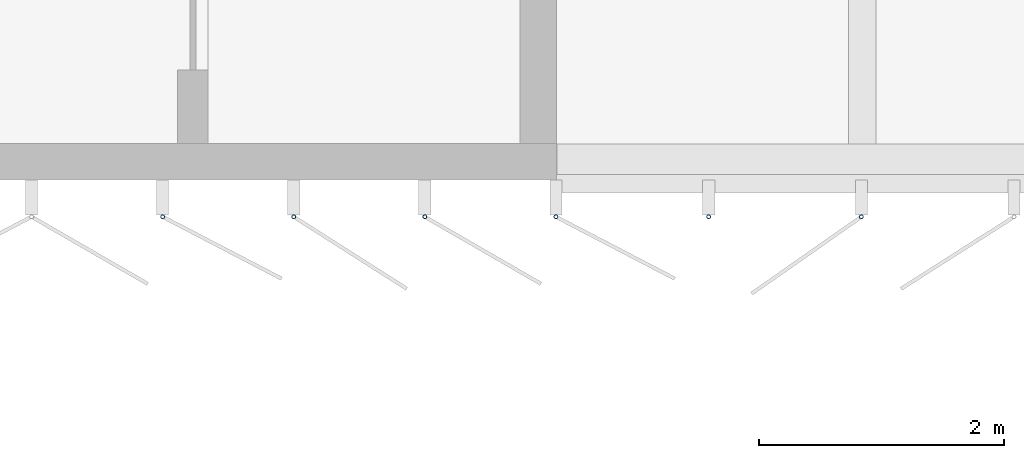
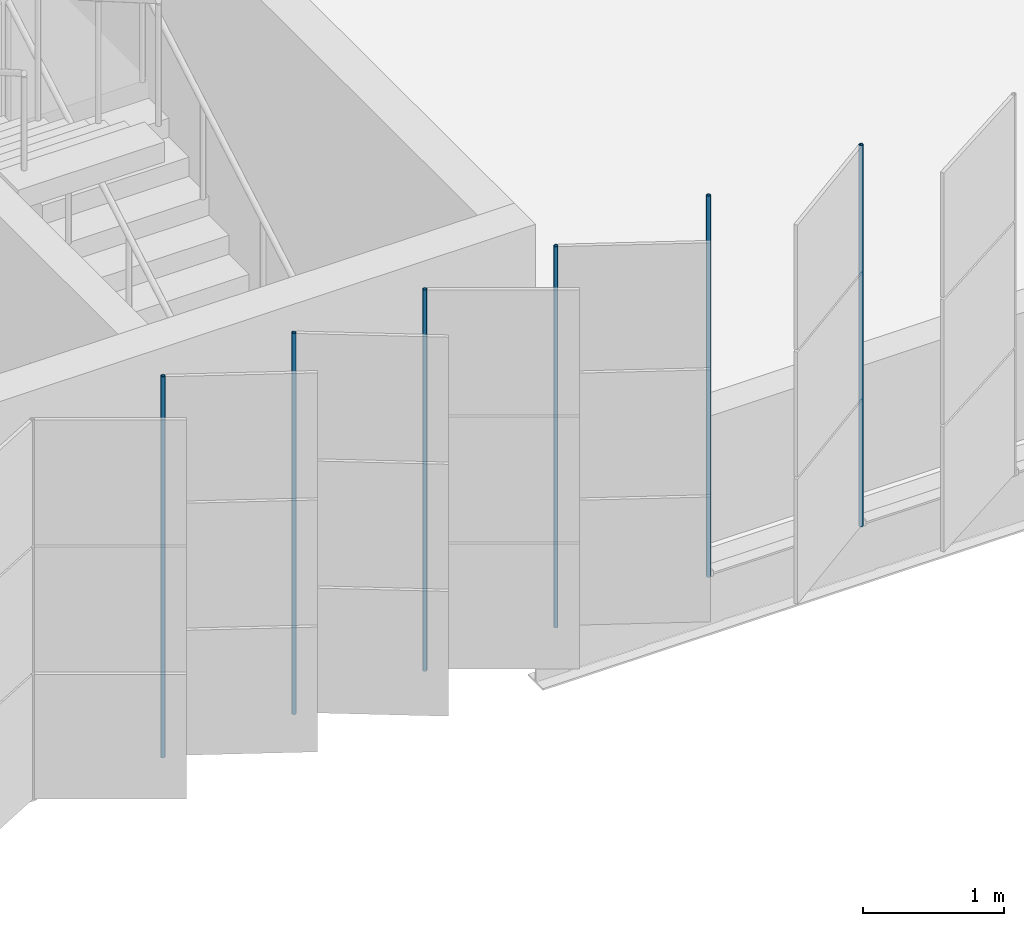
# One storey, part 80 of 199: 6 discrete accessories.
"""IFC4 building model written with IfcOpenShell, lengths in metres."""

from ifc_helpers import new_model, si_unit, direction, frame, origin, origin_2d, place, context, subcontext, project, spatial, hollow_circle, extrude, material, material_profile, profile_set, type_object, element, save


model = new_model("IFC4")

# Units and contexts
model_context = context("Model", 3, precision=1e-05, world=origin(), true_north=direction((0.0, 1.0)))
body_context = subcontext(model_context, "Body", "Model", "MODEL_VIEW")
ifc_project = project(units=[si_unit("LENGTHUNIT", "METRE"), si_unit("AREAUNIT", "SQUARE_METRE"), si_unit("VOLUMEUNIT", "CUBIC_METRE"), si_unit("PLANEANGLEUNIT", "RADIAN"), si_unit("MASSUNIT", "GRAM", prefix="KILO")], contexts=[model_context])

# Site, building, storey
site_placement = place(None, origin())
site = spatial("IfcSite", under=ifc_project, at=site_placement, CompositionType="ELEMENT")
building_placement = place(site_placement, origin())
building = spatial("IfcBuilding", under=site, at=building_placement, Name="Parallax Yard Mobility Hub", CompositionType="ELEMENT")
storey_placement = place(building_placement, frame((0.0, 0.0, 9.89990234375)))
storey = spatial("IfcBuildingStorey", under=building, at=storey_placement, Name="L03", CompositionType="ELEMENT", Elevation=9.89990234375)

# Discrete accessories
ifc_material = material(Name="Steel ASTM A500 Gr C, hot-dip galvanised", Category="steel")
ifc_material_profile = material_profile(ifc_material, hollow_circle(Radius=0.016845703125, WallThickness=0.003173828125, at=origin_2d()), Name="CHS 33.7x3.2")
ifc_profile_set = profile_set([ifc_material_profile], Name="Steel ASTM A500 Gr C, hot-dip galvanised")
discrete_accessory_type = type_object("IfcDiscreteAccessoryType", Name="Hinge post CHS 33.7x3.2", PredefinedType="BRACKET", material=ifc_profile_set)
for number, where, z_axis, x_axis, name in (
    (1, (79.277099609375, 112.199951171875, 0.0), (0.0, 0.0, 1.0), (1.0, 0.0, 0.0), "Hinge post bay 6.12 level L03"),
    (2, (80.349365234375, 112.199951171875, 0.0), (0.0, 0.0, 1.0), (1.0, 0.0, 0.0), "Hinge post bay 6.13 level L03"),
    (3, (81.421630859375, 112.199951171875, 0.0), (0.0, 0.0, 1.0), (1.0, 0.0, 0.0), "Hinge post bay 6.14 level L03"),
    (4, (82.493896484375, 112.199951171875, 0.0), (0.0, 0.0, 1.0), (1.0, 0.0, 0.0), "Hinge post bay 7.1 level L03"),
    (5, (83.7431640625, 112.199951171875, 0.0), (0.0, 0.0, 1.0), (1.0, 0.0, 0.0), "Hinge post bay 7.2 level L03"),
    (6, (84.992431640625, 112.199951171875, 0.0), (0.0, 0.0, 1.0), (1.0, 0.0, 0.0), "Hinge post bay 7.3 level L03"),
):
    element("IfcDiscreteAccessory", number, at=place(storey_placement, frame(where, z_axis=z_axis, x_axis=x_axis)), inside=storey, type_object=discrete_accessory_type, Name=name, PredefinedType="BRACKET", context=body_context, shape_type="SweptSolid", body=[
        extrude(hollow_circle(Radius=0.016845703125, WallThickness=0.003173828125, at=origin_2d()), origin(), (0.0, 0.0, 1.0), 3.300048828125),
    ])

save(model, "model.ifc")
